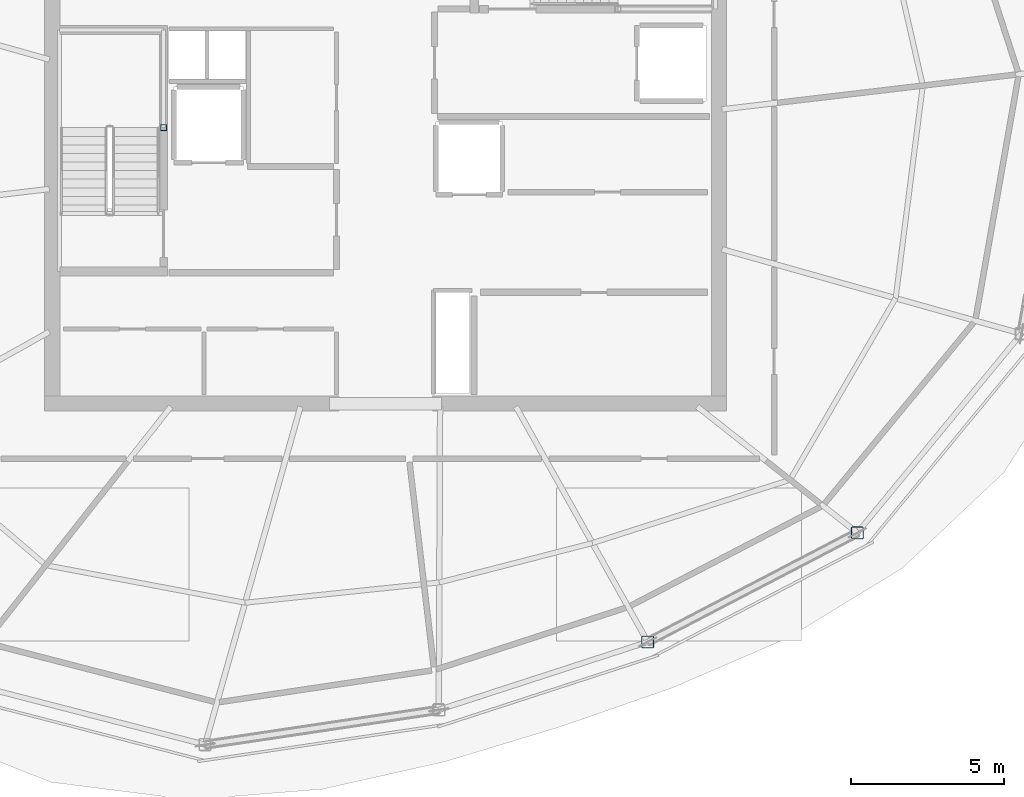
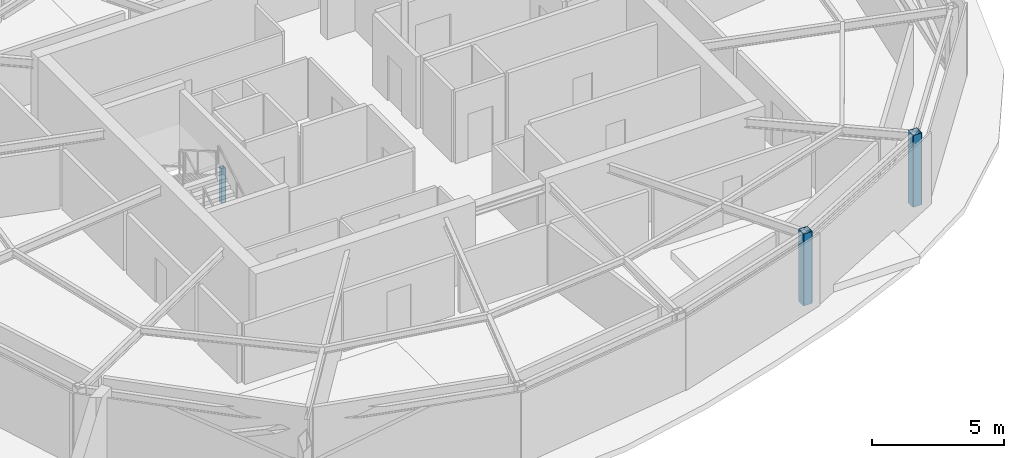
# One storey, part 2 of 10: 3 columns.
"""IFC4 building model written with IfcOpenShell, lengths in metres."""

from ifc_helpers import new_model, si_unit, direction, frame, origin, origin_2d, place, context, subcontext, project, spatial, hollow_rectangle, extrude, material, material_profile, profile_set, type_object, element, save


model = new_model("IFC4")

# Units and contexts
model_context = context("Model", 3, precision=1e-05, world=origin(), true_north=direction((0.0, 1.0)))
body_context = subcontext(model_context, "Body", "Model", "MODEL_VIEW")
ifc_project = project(units=[si_unit("LENGTHUNIT", "METRE"), si_unit("AREAUNIT", "SQUARE_METRE"), si_unit("VOLUMEUNIT", "CUBIC_METRE"), si_unit("PLANEANGLEUNIT", "RADIAN"), si_unit("MASSUNIT", "GRAM", prefix="KILO")], contexts=[model_context])

# Site, building, storey
site_placement = place(None, origin())
site = spatial("IfcSite", under=ifc_project, at=site_placement, CompositionType="ELEMENT")
building_placement = place(site_placement, origin())
building = spatial("IfcBuilding", under=site, at=building_placement, Name="Kazma Halo Residences", CompositionType="ELEMENT")
storey_placement = place(building_placement, frame((0.0, 0.0, 363.199951171875)))
storey = spatial("IfcBuildingStorey", under=building, at=storey_placement, Name="L91", CompositionType="ELEMENT", Elevation=363.199951171875)

# Columns
ifc_material = material(Name="Steel S355", Category="steel")
ifc_material_profile_1 = material_profile(ifc_material, hollow_rectangle(XDim=0.39990234375, YDim=0.39990234375, WallThickness=0.02001953125, InnerFilletRadius=0.02001953125, OuterFilletRadius=0.0400390625, at=origin_2d()), Name="SHS400x400x20")
ifc_profile_set_1 = profile_set([ifc_material_profile_1], Name="Steel S355")
column_type_1 = type_object("IfcColumnType", Name="COL-CROWN-SHS400", PredefinedType="COLUMN", material=ifc_profile_set_1)
for number, where, z_axis, x_axis, name in (
    (1, (56.9765625, 25.97119140625, 0.0), (0.0, 0.0, 1.0), (1.0, 0.0, 0.0), "L91 CROWN FRAME perimeter column P13"),
    (2, (63.815185546875, 29.532470703125, 0.0), (0.0, 0.0, 1.0), (1.0, 0.0, 0.0), "L91 CROWN FRAME perimeter column P14"),
):
    element("IfcColumn", number, at=place(storey_placement, frame(where, z_axis=z_axis, x_axis=x_axis)), inside=storey, type_object=column_type_1, Name=name, PredefinedType="COLUMN", context=body_context, shape_type="SweptSolid", body=[
        extrude(hollow_rectangle(XDim=0.39990234375, YDim=0.39990234375, WallThickness=0.02001953125, InnerFilletRadius=0.02001953125, OuterFilletRadius=0.0400390625, at=origin_2d()), origin(), (0.0, 0.0, 1.0), 3.320068359375),
    ])
ifc_material_profile_2 = material_profile(ifc_material, hollow_rectangle(XDim=0.199951171875, YDim=0.199951171875, WallThickness=0.010009765625, InnerFilletRadius=0.010009765625, OuterFilletRadius=0.02001953125, at=origin_2d()), Name="SHS200x200x10")
ifc_profile_set_2 = profile_set([ifc_material_profile_2], Name="Steel S355")
column_type_2 = type_object("IfcColumnType", Name="COL-LP-SHS200", PredefinedType="COLUMN", material=ifc_profile_set_2)
column_placement = place(storey_placement, frame((41.179931640625, 42.75, 0.0), z_axis=(0.0, 0.0, 1.0), x_axis=(1.0, 0.0, 0.0)))
element("IfcColumn", 3, at=column_placement, inside=storey, type_object=column_type_2, Name="L91 ST-01 landing pilaster 1", PredefinedType="COLUMN", context=body_context, shape_type="SweptSolid", body=[
    extrude(hollow_rectangle(XDim=0.199951171875, YDim=0.199951171875, WallThickness=0.010009765625, InnerFilletRadius=0.010009765625, OuterFilletRadius=0.02001953125, at=origin_2d()), origin(), (0.0, 0.0, 1.0), 1.594970703125),
])

save(model, "model.ifc")
